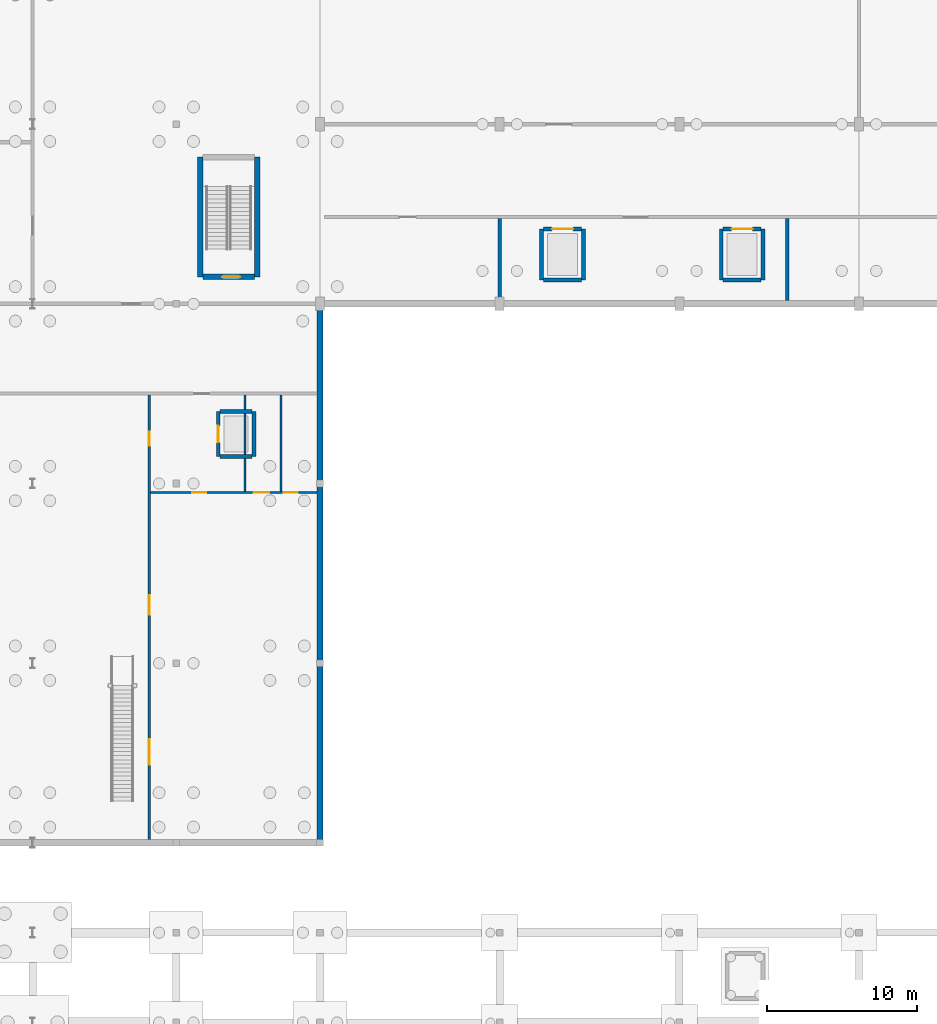
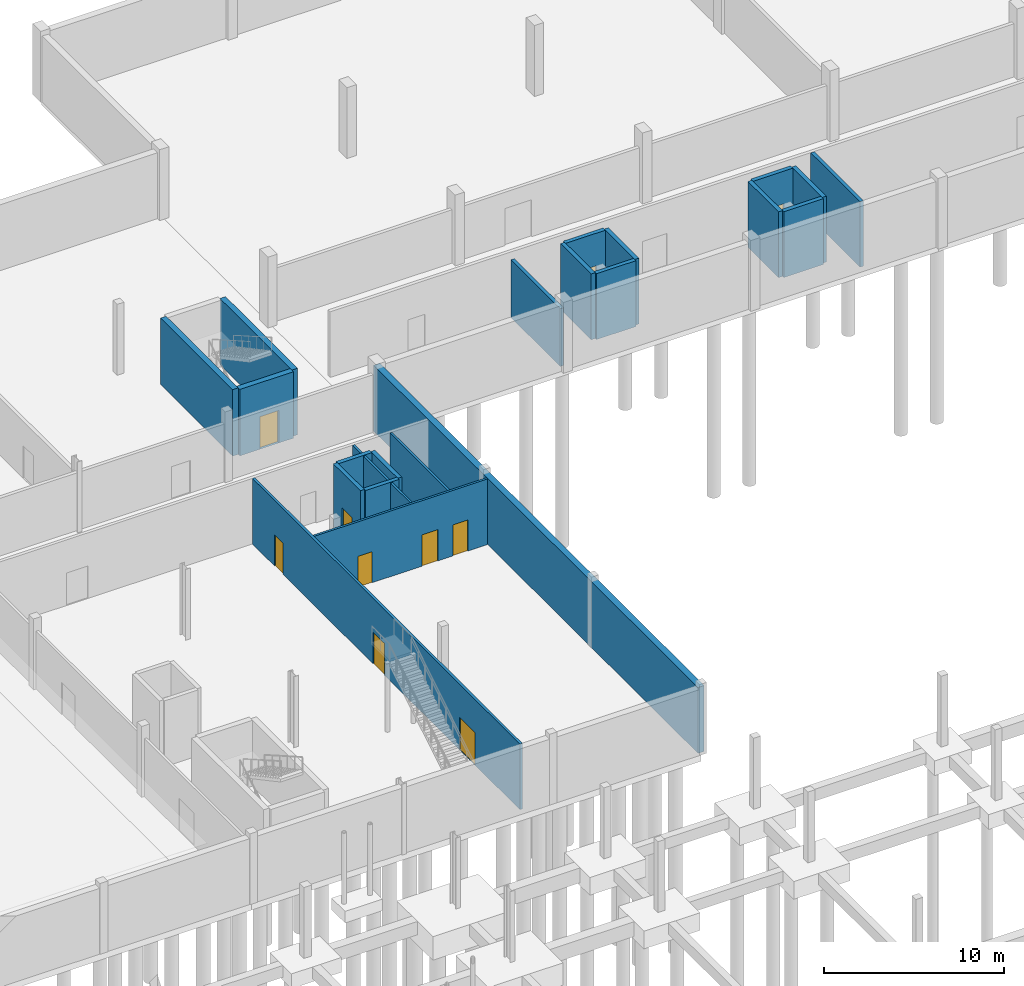
# One storey, part 25 of 31: 22 walls, 10 doors, 10 openings.
"""IFC4 building model written with IfcOpenShell, lengths in metres."""

from ifc_helpers import new_model, si_unit, direction, frame, frame_2d, origin, place, context, subcontext, project, spatial, rectangle, extrude, material, layer, layer_set, type_object, element, fill, save


model = new_model("IFC4")

# Units and contexts
model_context = context("Model", 3, precision=1e-05, world=origin(), true_north=direction((0.0, 1.0)))
body_context = subcontext(model_context, "Body", "Model", "MODEL_VIEW")
ifc_project = project(units=[si_unit("LENGTHUNIT", "METRE"), si_unit("AREAUNIT", "SQUARE_METRE"), si_unit("VOLUMEUNIT", "CUBIC_METRE"), si_unit("PLANEANGLEUNIT", "RADIAN"), si_unit("MASSUNIT", "GRAM", prefix="KILO")], contexts=[model_context])

# Site, building, storey
site_placement = place(None, origin())
site = spatial("IfcSite", under=ifc_project, at=site_placement, CompositionType="ELEMENT")
building_placement = place(site_placement, origin())
building = spatial("IfcBuilding", under=site, at=building_placement, Name="Merenkruunu Market Hall", CompositionType="ELEMENT")
storey_placement = place(building_placement, frame((0.0, 0.0, -4.800048828125)))
storey = spatial("IfcBuildingStorey", under=building, at=storey_placement, Name="B1", CompositionType="ELEMENT", Elevation=-4.800048828125)

# Walls
ifc_material_1 = material(Name="Concrete C35/45", Category="concrete")
ifc_layer_1 = layer(ifc_material_1, 0.39990234375)
ifc_layer_set_1 = layer_set([ifc_layer_1], Name="Concrete C35/45")
wall_type_1 = type_object("IfcWallType", Name="Basement Retaining Wall RW02", PredefinedType="USERDEFINED", material=ifc_layer_set_1)
wall_1_placement = place(storey_placement, frame((76.800048828125, 51.60009765625, 0.0), z_axis=(0.0, 0.0, 1.0), x_axis=(0.0, 1.0, 0.0)))
element("IfcWall", 1, at=wall_1_placement, inside=storey, type_object=wall_type_1, Name="WALL-B1-RW-02", ObjectType="RETAININGWALL", PredefinedType="USERDEFINED", context=body_context, shape_type="SweptSolid", body=[
    extrude(rectangle(XDim=36.0, YDim=0.39990234375, at=frame_2d((18.0, 0.0))), origin(), (0.0, 0.0, 1.0), 4.4599609375),
])
ifc_material_2 = material(Name="Acoustic mineral wool panel")
ifc_layer_2 = layer(ifc_material_2, 0.219970703125)
ifc_layer_set_2 = layer_set([ifc_layer_2], Name="Acoustic mineral wool panel")
wall_type_2 = type_object("IfcWallType", Name="Interior Partition Wall FW01", PredefinedType="PARTITIONING", material=ifc_layer_set_2)
wall_2_placement = place(storey_placement, frame((88.800048828125, 87.822021484375, 0.0), z_axis=(0.0, 0.0, 1.0), x_axis=(0.0, 1.0, 0.0)))
element("IfcWall", 2, at=wall_2_placement, inside=storey, type_object=wall_type_2, Name="WALL-INT-B1-0016", PredefinedType="PARTITIONING", context=body_context, shape_type="SweptSolid", body=[
    extrude(rectangle(XDim=5.466064453125, YDim=0.219970703125, at=frame_2d((2.73291015625, 0.0))), origin(), (0.0, 0.0, 1.0), 3.9150390625),
])
wall_3_placement = place(storey_placement, frame((108.0, 87.822021484375, 0.0), z_axis=(0.0, 0.0, 1.0), x_axis=(0.0, 1.0, 0.0)))
element("IfcWall", 3, at=wall_3_placement, inside=storey, type_object=wall_type_2, Name="WALL-INT-B1-0017", PredefinedType="PARTITIONING", context=body_context, shape_type="SweptSolid", body=[
    extrude(rectangle(XDim=5.466064453125, YDim=0.219970703125, at=frame_2d((2.73291015625, 0.0))), origin(), (0.0, 0.0, 1.0), 4.43994140625),
])

# Wall, openings, doors
ifc_material_3 = material(Name="Gypsum acoustic partition board")
ifc_layer_3 = layer(ifc_material_3, 0.159912109375)
ifc_layer_set_3 = layer_set([ifc_layer_3], Name="Gypsum acoustic partition board")
wall_type_3 = type_object("IfcWallType", Name="Interior Partition Wall PW01", PredefinedType="PARTITIONING", material=ifc_layer_set_3)
wall_4_placement = place(storey_placement, frame((65.39990234375, 51.822021484375, 0.0), z_axis=(0.0, 0.0, 1.0), x_axis=(0.0, 1.0, 0.0)))
wall_4 = element("IfcWall", 4, at=wall_4_placement, inside=storey, type_object=wall_type_3, Name="WALL-INT-B1-0003", PredefinedType="PARTITIONING", context=body_context, shape_type="SweptSolid", body=[
    extrude(rectangle(XDim=29.676025390625, YDim=0.159912109375, at=frame_2d((14.837890625, 0.0))), origin(), (0.0, 0.0, 1.0), 4.43994140625),
])
opening_1_placement = place(wall_4_placement, frame((5.0, 0.0, 0.0)))
opening_1 = element("IfcOpeningElement", 5, at=opening_1_placement, cuts=wall_4, Name="Opening D07", PredefinedType="OPENING", context=body_context, shape_type="SweptSolid", body=[
    extrude(rectangle(XDim=1.699951171875, YDim=2.199951171875, at=frame_2d((0.85009765625, 1.10009765625))), frame((0.0, 0.08984375, 0.0), z_axis=(0.0, -1.0, 0.0), x_axis=(1.0, 0.0, 0.0)), (0.0, 0.0, 1.0), 0.179931640625),
])
opening_2_placement = place(wall_4_placement, frame((15.0, 0.0, 0.0)))
opening_2 = element("IfcOpeningElement", 6, at=opening_2_placement, cuts=wall_4, Name="Opening D05", PredefinedType="OPENING", context=body_context, shape_type="SweptSolid", body=[
    extrude(rectangle(XDim=1.300048828125, YDim=2.14990234375, at=frame_2d((0.64990234375, 1.074951171875))), frame((0.0, 0.08984375, 0.0), z_axis=(0.0, -1.0, 0.0), x_axis=(1.0, 0.0, 0.0)), (0.0, 0.0, 1.0), 0.179931640625),
])
opening_3_placement = place(wall_4_placement, frame((26.300048828125, 0.0, 0.0)))
opening_3 = element("IfcOpeningElement", 7, at=opening_3_placement, cuts=wall_4, Name="Opening D09", PredefinedType="OPENING", context=body_context, shape_type="SweptSolid", body=[
    extrude(rectangle(XDim=0.919921875, YDim=2.10009765625, at=frame_2d((0.4599609375, 1.050048828125))), frame((0.0, 0.08984375, 0.0), z_axis=(0.0, -1.0, 0.0), x_axis=(1.0, 0.0, 0.0)), (0.0, 0.0, 1.0), 0.179931640625),
])
ifc_material_4 = material(Name="Lacquered Nordic birch")
door_type_1 = type_object("IfcDoorType", Name="Pedestrian Room Door D05", OperationType="NOTDEFINED", PredefinedType="DOOR", material=ifc_material_4)
door_1_placement = place(opening_2_placement, origin())
door_1 = element("IfcDoor", 8, at=door_1_placement, inside=storey, type_object=door_type_1, Name="DR-B1-008", OperationType="SINGLE_SWING_LEFT", OverallHeight=2.14990234375, OverallWidth=1.300048828125, PredefinedType="DOOR", context=body_context, shape_type="SweptSolid", body=[
    extrude(rectangle(XDim=1.300048828125, YDim=2.14990234375, at=frame_2d((0.64990234375, 1.074951171875))), frame((0.0, 0.02490234375, 0.0), z_axis=(0.0, -1.0, 0.0), x_axis=(1.0, 0.0, 0.0)), (0.0, 0.0, 1.0), 0.050048828125),
])
fill(opening_2, door_1)
door_type_2 = type_object("IfcDoorType", Name="Pedestrian Room Door D07", OperationType="NOTDEFINED", PredefinedType="DOOR", material=ifc_material_4)
door_2_placement = place(opening_1_placement, origin())
door_2 = element("IfcDoor", 9, at=door_2_placement, inside=storey, type_object=door_type_2, Name="DR-B1-007", OperationType="SINGLE_SWING_RIGHT", OverallHeight=2.199951171875, OverallWidth=1.699951171875, PredefinedType="DOOR", context=body_context, shape_type="SweptSolid", body=[
    extrude(rectangle(XDim=1.699951171875, YDim=2.199951171875, at=frame_2d((0.85009765625, 1.10009765625))), frame((0.0, 0.02490234375, 0.0), z_axis=(0.0, -1.0, 0.0), x_axis=(1.0, 0.0, 0.0)), (0.0, 0.0, 1.0), 0.050048828125),
])
fill(opening_1, door_2)
door_type_3 = type_object("IfcDoorType", Name="Pedestrian Room Door D09", OperationType="NOTDEFINED", PredefinedType="DOOR", material=ifc_material_4)
door_3_placement = place(opening_3_placement, origin())
door_3 = element("IfcDoor", 10, at=door_3_placement, inside=storey, type_object=door_type_3, Name="DR-B1-009", OperationType="SINGLE_SWING_RIGHT", OverallHeight=2.10009765625, OverallWidth=0.919921875, PredefinedType="DOOR", context=body_context, shape_type="SweptSolid", body=[
    extrude(rectangle(XDim=0.919921875, YDim=2.10009765625, at=frame_2d((0.4599609375, 1.050048828125))), frame((0.0, 0.02490234375, 0.0), z_axis=(0.0, -1.0, 0.0), x_axis=(1.0, 0.0, 0.0)), (0.0, 0.0, 1.0), 0.050048828125),
])
fill(opening_3, door_3)

ifc_material_5 = material(Name="Ceramic hygienic wet-room board")
ifc_layer_4 = layer(ifc_material_5, 0.139892578125)
ifc_layer_set_4 = layer_set([ifc_layer_4], Name="Ceramic hygienic wet-room board")
wall_type_4 = type_object("IfcWallType", Name="Interior Partition Wall PW02", PredefinedType="PARTITIONING", material=ifc_layer_set_4)
wall_5_placement = place(storey_placement, frame((65.48193359375, 75.0, 0.0), z_axis=(0.0, 0.0, 1.0), x_axis=(1.0, 0.0, 0.0)))
wall_5 = element("IfcWall", 11, at=wall_5_placement, inside=storey, type_object=wall_type_4, Name="WALL-INT-B1-0004", PredefinedType="PARTITIONING", context=body_context, shape_type="SweptSolid", body=[
    extrude(rectangle(XDim=11.115966796875, YDim=0.139892578125, at=frame_2d((5.55810546875, 0.0))), origin(), (0.0, 0.0, 1.0), 4.43994140625),
])
opening_4_placement = place(wall_5_placement, frame((2.800048828125, 0.0, 0.0)))
opening_4 = element("IfcOpeningElement", 12, at=opening_4_placement, cuts=wall_5, Name="Opening D09", PredefinedType="OPENING", context=body_context, shape_type="SweptSolid", body=[
    extrude(rectangle(XDim=0.919921875, YDim=2.10009765625, at=frame_2d((0.4599609375, 1.050048828125))), frame((0.0, 0.080078125, 0.0), z_axis=(0.0, -1.0, 0.0), x_axis=(1.0, 0.0, 0.0)), (0.0, 0.0, 1.0), 0.159912109375),
])
opening_5_placement = place(wall_5_placement, frame((6.89990234375, 0.0, 0.0)))
opening_5 = element("IfcOpeningElement", 13, at=opening_5_placement, cuts=wall_5, Name="Opening D08", PredefinedType="OPENING", context=body_context, shape_type="SweptSolid", body=[
    extrude(rectangle(XDim=1.02001953125, YDim=2.1201171875, at=frame_2d((0.510009765625, 1.06005859375))), frame((0.0, 0.080078125, 0.0), z_axis=(0.0, -1.0, 0.0), x_axis=(1.0, 0.0, 0.0)), (0.0, 0.0, 1.0), 0.159912109375),
])
opening_6_placement = place(wall_5_placement, frame((8.89404296875, 0.0, 0.0)))
opening_6 = element("IfcOpeningElement", 14, at=opening_6_placement, cuts=wall_5, Name="Opening D01", PredefinedType="OPENING", context=body_context, shape_type="SweptSolid", body=[
    extrude(rectangle(XDim=0.949951171875, YDim=2.10009765625, at=frame_2d((0.47509765625, 1.050048828125))), frame((0.0, 0.080078125, 0.0), z_axis=(0.0, -1.0, 0.0), x_axis=(1.0, 0.0, 0.0)), (0.0, 0.0, 1.0), 0.159912109375),
])
door_type_4 = type_object("IfcDoorType", Name="Accessible Sanitary Door D08", OperationType="NOTDEFINED", PredefinedType="DOOR", material=ifc_material_4)
door_4_placement = place(opening_5_placement, origin())
door_4 = element("IfcDoor", 15, at=door_4_placement, inside=storey, type_object=door_type_4, Name="DR-B1-011", OperationType="SINGLE_SWING_RIGHT", OverallHeight=2.1201171875, OverallWidth=1.02001953125, PredefinedType="DOOR", context=body_context, shape_type="SweptSolid", body=[
    extrude(rectangle(XDim=1.02001953125, YDim=2.1201171875, at=frame_2d((0.510009765625, 1.06005859375))), frame((0.0, 0.02490234375, 0.0), z_axis=(0.0, -1.0, 0.0), x_axis=(1.0, 0.0, 0.0)), (0.0, 0.0, 1.0), 0.050048828125),
])
fill(opening_5, door_4)
door_type_5 = type_object("IfcDoorType", Name="Pedestrian Room Door D01", OperationType="NOTDEFINED", PredefinedType="DOOR", material=ifc_material_4)
door_5_placement = place(opening_6_placement, origin())
door_5 = element("IfcDoor", 16, at=door_5_placement, inside=storey, type_object=door_type_5, Name="DR-B1-012", OperationType="SINGLE_SWING_LEFT", OverallHeight=2.10009765625, OverallWidth=0.949951171875, PredefinedType="DOOR", context=body_context, shape_type="SweptSolid", body=[
    extrude(rectangle(XDim=0.949951171875, YDim=2.10009765625, at=frame_2d((0.47509765625, 1.050048828125))), frame((0.0, 0.02490234375, 0.0), z_axis=(0.0, -1.0, 0.0), x_axis=(1.0, 0.0, 0.0)), (0.0, 0.0, 1.0), 0.050048828125),
])
fill(opening_6, door_5)
door_6_placement = place(opening_4_placement, origin())
door_6 = element("IfcDoor", 17, at=door_6_placement, inside=storey, type_object=door_type_3, Name="DR-B1-010", OperationType="SINGLE_SWING_LEFT", OverallHeight=2.10009765625, OverallWidth=0.919921875, PredefinedType="DOOR", context=body_context, shape_type="SweptSolid", body=[
    extrude(rectangle(XDim=0.919921875, YDim=2.10009765625, at=frame_2d((0.4599609375, 1.050048828125))), frame((0.0, 0.02490234375, 0.0), z_axis=(0.0, -1.0, 0.0), x_axis=(1.0, 0.0, 0.0)), (0.0, 0.0, 1.0), 0.050048828125),
])
fill(opening_4, door_6)

# Walls
for number, where, z_axis, x_axis, name in (
    (18, (71.800048828125, 75.072021484375, 0.0), (0.0, 0.0, 1.0), (0.0, 1.0, 0.0), "WALL-INT-B1-0005"),
    (19, (74.199951171875, 75.072021484375, 0.0), (0.0, 0.0, 1.0), (0.0, 1.0, 0.0), "WALL-INT-B1-0006"),
):
    element("IfcWall", number, at=place(storey_placement, frame(where, z_axis=z_axis, x_axis=x_axis)), inside=storey, type_object=wall_type_4, Name=name, PredefinedType="PARTITIONING", context=body_context, shape_type="SweptSolid", body=[
        extrude(rectangle(XDim=6.426025390625, YDim=0.139892578125, at=frame_2d((3.212890625, 0.0))), origin(), (0.0, 0.0, 1.0), 4.43994140625),
    ])

# Wall, opening, door
ifc_layer_5 = layer(ifc_material_1, 0.360107421875)
ifc_layer_set_5 = layer_set([ifc_layer_5], Name="Concrete C35/45")
wall_type_5 = type_object("IfcWallType", Name="Structural Shear Wall SW01", PredefinedType="SHEAR", material=ifc_layer_set_5)
wall_6_placement = place(storey_placement, frame((72.419921875, 89.39990234375, 0.0), z_axis=(0.0, 0.0, 1.0), x_axis=(-1.0, 0.0, 0.0)))
wall_6 = element("IfcWall", 20, at=wall_6_placement, inside=storey, type_object=wall_type_5, Name="WALL-CORE-K4-B1-S", PredefinedType="SHEAR", context=body_context, shape_type="SweptSolid", body=[
    extrude(rectangle(XDim=3.43994140625, YDim=0.360107421875, at=frame_2d((1.719970703125, 0.0))), origin(), (0.0, 0.0, 1.0), 4.5),
])
opening_7_placement = place(wall_6_placement, frame((0.949951171875, 0.0, 0.0)))
opening_7 = element("IfcOpeningElement", 21, at=opening_7_placement, cuts=wall_6, Name="Opening FD03", PredefinedType="OPENING", context=body_context, shape_type="SweptSolid", body=[
    extrude(rectangle(XDim=1.199951171875, YDim=2.199951171875, at=frame_2d((0.60009765625, 1.10009765625))), frame((0.0, 0.18994140625, 0.0), z_axis=(0.0, -1.0, 0.0), x_axis=(1.0, 0.0, 0.0)), (0.0, 0.0, 1.0), 0.380126953125),
])
ifc_material_6 = material(Name="Powder-coated aluminium", Category="aluminium")
door_type_6 = type_object("IfcDoorType", Name="Fire Compartment Door FD03", OperationType="NOTDEFINED", PredefinedType="DOOR", material=ifc_material_6)
door_7_placement = place(opening_7_placement, origin())
door_7 = element("IfcDoor", 22, at=door_7_placement, inside=storey, type_object=door_type_6, Name="DR-B1-108", OperationType="SINGLE_SWING_RIGHT", OverallHeight=2.199951171875, OverallWidth=1.199951171875, PredefinedType="DOOR", context=body_context, shape_type="SweptSolid", body=[
    extrude(rectangle(XDim=1.199951171875, YDim=2.199951171875, at=frame_2d((0.60009765625, 1.10009765625))), frame((0.0, 0.02490234375, 0.0), z_axis=(0.0, -1.0, 0.0), x_axis=(1.0, 0.0, 0.0)), (0.0, 0.0, 1.0), 0.050048828125),
])
fill(opening_7, door_7)

# Walls
for number, where, z_axis, x_axis, name in (
    (23, (72.60009765625, 89.39990234375, 0.0), (0.0, 0.0, 1.0), (0.0, 1.0, 0.0), "WALL-CORE-K4-B1-E"),
    (24, (68.800048828125, 97.39990234375, 0.0), (0.0, 0.0, 1.0), (0.0, -1.0, 0.0), "WALL-CORE-K4-B1-W"),
):
    element("IfcWall", number, at=place(storey_placement, frame(where, z_axis=z_axis, x_axis=x_axis)), inside=storey, type_object=wall_type_5, Name=name, PredefinedType="SHEAR", context=body_context, shape_type="SweptSolid", body=[
        extrude(rectangle(XDim=8.0, YDim=0.360107421875, at=frame_2d((4.0, 0.0))), origin(), (0.0, 0.0, 1.0), 4.5),
    ])
ifc_layer_6 = layer(ifc_material_1, 0.260009765625)
ifc_layer_set_6 = layer_set([ifc_layer_6], Name="Concrete C35/45")
wall_type_6 = type_object("IfcWallType", Name="Structural Shear Wall SW03", PredefinedType="SHEAR", material=ifc_layer_set_6)
wall_7_placement = place(storey_placement, frame((70.1298828125, 77.39990234375, 0.0), z_axis=(0.0, 0.0, 1.0), x_axis=(1.0, 0.0, 0.0)))
element("IfcWall", 25, at=wall_7_placement, inside=storey, type_object=wall_type_6, Name="WALL-LIFT-LP2-B1-S", PredefinedType="SHEAR", context=body_context, shape_type="SweptSolid", body=[
    extrude(rectangle(XDim=2.14013671875, YDim=0.260009765625, at=frame_2d((1.070068359375, 0.0))), origin(), (0.0, 0.0, 1.0), 4.5),
])
wall_8_placement = place(storey_placement, frame((72.39990234375, 77.39990234375, 0.0), z_axis=(0.0, 0.0, 1.0), x_axis=(0.0, 1.0, 0.0)))
element("IfcWall", 26, at=wall_8_placement, inside=storey, type_object=wall_type_6, Name="WALL-LIFT-LP2-B1-E", PredefinedType="SHEAR", context=body_context, shape_type="SweptSolid", body=[
    extrude(rectangle(XDim=3.0, YDim=0.260009765625, at=frame_2d((1.5, 0.0))), origin(), (0.0, 0.0, 1.0), 4.5),
])
wall_9_placement = place(storey_placement, frame((72.27001953125, 80.39990234375, 0.0), z_axis=(0.0, 0.0, 1.0), x_axis=(-1.0, 0.0, 0.0)))
element("IfcWall", 27, at=wall_9_placement, inside=storey, type_object=wall_type_6, Name="WALL-LIFT-LP2-B1-N", PredefinedType="SHEAR", context=body_context, shape_type="SweptSolid", body=[
    extrude(rectangle(XDim=2.14013671875, YDim=0.260009765625, at=frame_2d((1.070068359375, 0.0))), origin(), (0.0, 0.0, 1.0), 4.5),
])

# Wall, opening, door
wall_10_placement = place(storey_placement, frame((70.0, 80.39990234375, 0.0), z_axis=(0.0, 0.0, 1.0), x_axis=(0.0, -1.0, 0.0)))
wall_10 = element("IfcWall", 28, at=wall_10_placement, inside=storey, type_object=wall_type_6, Name="WALL-LIFT-LP2-B1-W", PredefinedType="SHEAR", context=body_context, shape_type="SweptSolid", body=[
    extrude(rectangle(XDim=3.0, YDim=0.260009765625, at=frame_2d((1.5, 0.0))), origin(), (0.0, 0.0, 1.0), 4.5),
])
opening_8_placement = place(wall_10_placement, frame((0.949951171875, 0.0, 0.0)))
opening_8 = element("IfcOpeningElement", 29, at=opening_8_placement, cuts=wall_10, Name="Opening LD01", PredefinedType="OPENING", context=body_context, shape_type="SweptSolid", body=[
    extrude(rectangle(XDim=1.10009765625, YDim=2.10009765625, at=frame_2d((0.550048828125, 1.050048828125))), frame((0.0, 0.14013671875, 0.0), z_axis=(0.0, -1.0, 0.0), x_axis=(1.0, 0.0, 0.0)), (0.0, 0.0, 1.0), 0.280029296875),
])
ifc_material_7 = material(Name="Brushed stainless steel", Category="steel")
door_type_7 = type_object("IfcDoorType", Name="Lift Landing Sliding Door LD01", OperationType="NOTDEFINED", PredefinedType="DOOR", material=ifc_material_7)
door_8_placement = place(opening_8_placement, origin())
door_8 = element("IfcDoor", 30, at=door_8_placement, inside=storey, type_object=door_type_7, Name="Lift landing door LP2 B1", OperationType="SLIDING_TO_LEFT", OverallHeight=2.10009765625, OverallWidth=1.10009765625, PredefinedType="DOOR", context=body_context, shape_type="SweptSolid", body=[
    extrude(rectangle(XDim=1.10009765625, YDim=2.10009765625, at=frame_2d((0.550048828125, 1.050048828125))), frame((0.0, 0.02490234375, 0.0), z_axis=(0.0, -1.0, 0.0), x_axis=(1.0, 0.0, 0.0)), (0.0, 0.0, 1.0), 0.050048828125),
])
fill(opening_8, door_8)

# Walls
wall_11_placement = place(storey_placement, frame((91.72998046875, 89.199951171875, 0.0), z_axis=(0.0, 0.0, 1.0), x_axis=(1.0, 0.0, 0.0)))
element("IfcWall", 31, at=wall_11_placement, inside=storey, type_object=wall_type_6, Name="WALL-LIFT-LG2-B1-S", PredefinedType="SHEAR", context=body_context, shape_type="SweptSolid", body=[
    extrude(rectangle(XDim=2.5400390625, YDim=0.260009765625, at=frame_2d((1.27001953125, 0.0))), origin(), (0.0, 0.0, 1.0), 4.4599609375),
])
wall_12_placement = place(storey_placement, frame((94.39990234375, 89.199951171875, 0.0), z_axis=(0.0, 0.0, 1.0), x_axis=(0.0, 1.0, 0.0)))
element("IfcWall", 32, at=wall_12_placement, inside=storey, type_object=wall_type_6, Name="WALL-LIFT-LG2-B1-E", PredefinedType="SHEAR", context=body_context, shape_type="SweptSolid", body=[
    extrude(rectangle(XDim=3.400146484375, YDim=0.260009765625, at=frame_2d((1.7001953125, 0.0))), origin(), (0.0, 0.0, 1.0), 4.4599609375),
])

# Wall, opening, door
wall_13_placement = place(storey_placement, frame((94.27001953125, 92.60009765625, 0.0), z_axis=(0.0, 0.0, 1.0), x_axis=(-1.0, 0.0, 0.0)))
wall_13 = element("IfcWall", 33, at=wall_13_placement, inside=storey, type_object=wall_type_6, Name="WALL-LIFT-LG2-B1-N", PredefinedType="SHEAR", context=body_context, shape_type="SweptSolid", body=[
    extrude(rectangle(XDim=2.5400390625, YDim=0.260009765625, at=frame_2d((1.27001953125, 0.0))), origin(), (0.0, 0.0, 1.0), 4.4599609375),
])
opening_9_placement = place(wall_13_placement, frame((0.570068359375, 0.0, 0.0)))
opening_9 = element("IfcOpeningElement", 34, at=opening_9_placement, cuts=wall_13, Name="Opening LD02", PredefinedType="OPENING", context=body_context, shape_type="SweptSolid", body=[
    extrude(rectangle(XDim=1.39990234375, YDim=2.25, at=frame_2d((0.699951171875, 1.125))), frame((0.0, 0.14013671875, 0.0), z_axis=(0.0, -1.0, 0.0), x_axis=(1.0, 0.0, 0.0)), (0.0, 0.0, 1.0), 0.280029296875),
])
door_type_8 = type_object("IfcDoorType", Name="Lift Landing Sliding Door LD02", OperationType="NOTDEFINED", PredefinedType="DOOR", material=ifc_material_7)
door_9_placement = place(opening_9_placement, origin())
door_9 = element("IfcDoor", 35, at=door_9_placement, inside=storey, type_object=door_type_8, Name="Lift landing door LG2 B1", OperationType="DOUBLE_DOOR_SLIDING", OverallHeight=2.25, OverallWidth=1.39990234375, PredefinedType="DOOR", context=body_context, shape_type="SweptSolid", body=[
    extrude(rectangle(XDim=1.39990234375, YDim=2.25, at=frame_2d((0.699951171875, 1.125))), frame((0.0, 0.02490234375, 0.0), z_axis=(0.0, -1.0, 0.0), x_axis=(1.0, 0.0, 0.0)), (0.0, 0.0, 1.0), 0.050048828125),
])
fill(opening_9, door_9)

# Walls
wall_14_placement = place(storey_placement, frame((91.60009765625, 92.60009765625, 0.0), z_axis=(0.0, 0.0, 1.0), x_axis=(0.0, -1.0, 0.0)))
element("IfcWall", 36, at=wall_14_placement, inside=storey, type_object=wall_type_6, Name="WALL-LIFT-LG2-B1-W", PredefinedType="SHEAR", context=body_context, shape_type="SweptSolid", body=[
    extrude(rectangle(XDim=3.400146484375, YDim=0.260009765625, at=frame_2d((1.7001953125, 0.0))), origin(), (0.0, 0.0, 1.0), 4.4599609375),
])
wall_15_placement = place(storey_placement, frame((103.72998046875, 89.199951171875, 0.0), z_axis=(0.0, 0.0, 1.0), x_axis=(1.0, 0.0, 0.0)))
element("IfcWall", 37, at=wall_15_placement, inside=storey, type_object=wall_type_6, Name="WALL-LIFT-LG3-B1-S", PredefinedType="SHEAR", context=body_context, shape_type="SweptSolid", body=[
    extrude(rectangle(XDim=2.5400390625, YDim=0.260009765625, at=frame_2d((1.27001953125, 0.0))), origin(), (0.0, 0.0, 1.0), 4.4599609375),
])
wall_16_placement = place(storey_placement, frame((106.39990234375, 89.199951171875, 0.0), z_axis=(0.0, 0.0, 1.0), x_axis=(0.0, 1.0, 0.0)))
element("IfcWall", 38, at=wall_16_placement, inside=storey, type_object=wall_type_6, Name="WALL-LIFT-LG3-B1-E", PredefinedType="SHEAR", context=body_context, shape_type="SweptSolid", body=[
    extrude(rectangle(XDim=3.400146484375, YDim=0.260009765625, at=frame_2d((1.7001953125, 0.0))), origin(), (0.0, 0.0, 1.0), 4.4599609375),
])

# Wall, opening, door
wall_17_placement = place(storey_placement, frame((106.27001953125, 92.60009765625, 0.0), z_axis=(0.0, 0.0, 1.0), x_axis=(-1.0, 0.0, 0.0)))
wall_17 = element("IfcWall", 39, at=wall_17_placement, inside=storey, type_object=wall_type_6, Name="WALL-LIFT-LG3-B1-N", PredefinedType="SHEAR", context=body_context, shape_type="SweptSolid", body=[
    extrude(rectangle(XDim=2.5400390625, YDim=0.260009765625, at=frame_2d((1.27001953125, 0.0))), origin(), (0.0, 0.0, 1.0), 4.4599609375),
])
opening_10_placement = place(wall_17_placement, frame((0.570068359375, 0.0, 0.0)))
opening_10 = element("IfcOpeningElement", 40, at=opening_10_placement, cuts=wall_17, Name="Opening LD02", PredefinedType="OPENING", context=body_context, shape_type="SweptSolid", body=[
    extrude(rectangle(XDim=1.39990234375, YDim=2.25, at=frame_2d((0.699951171875, 1.125))), frame((0.0, 0.14013671875, 0.0), z_axis=(0.0, -1.0, 0.0), x_axis=(1.0, 0.0, 0.0)), (0.0, 0.0, 1.0), 0.280029296875),
])
door_10_placement = place(opening_10_placement, origin())
door_10 = element("IfcDoor", 41, at=door_10_placement, inside=storey, type_object=door_type_8, Name="Lift landing door LG3 B1", OperationType="DOUBLE_DOOR_SLIDING", OverallHeight=2.25, OverallWidth=1.39990234375, PredefinedType="DOOR", context=body_context, shape_type="SweptSolid", body=[
    extrude(rectangle(XDim=1.39990234375, YDim=2.25, at=frame_2d((0.699951171875, 1.125))), frame((0.0, 0.02490234375, 0.0), z_axis=(0.0, -1.0, 0.0), x_axis=(1.0, 0.0, 0.0)), (0.0, 0.0, 1.0), 0.050048828125),
])
fill(opening_10, door_10)

# Wall
wall_18_placement = place(storey_placement, frame((103.60009765625, 92.60009765625, 0.0), z_axis=(0.0, 0.0, 1.0), x_axis=(0.0, -1.0, 0.0)))
element("IfcWall", 42, at=wall_18_placement, inside=storey, type_object=wall_type_6, Name="WALL-LIFT-LG3-B1-W", PredefinedType="SHEAR", context=body_context, shape_type="SweptSolid", body=[
    extrude(rectangle(XDim=3.400146484375, YDim=0.260009765625, at=frame_2d((1.7001953125, 0.0))), origin(), (0.0, 0.0, 1.0), 4.4599609375),
])

save(model, "model.ifc")
